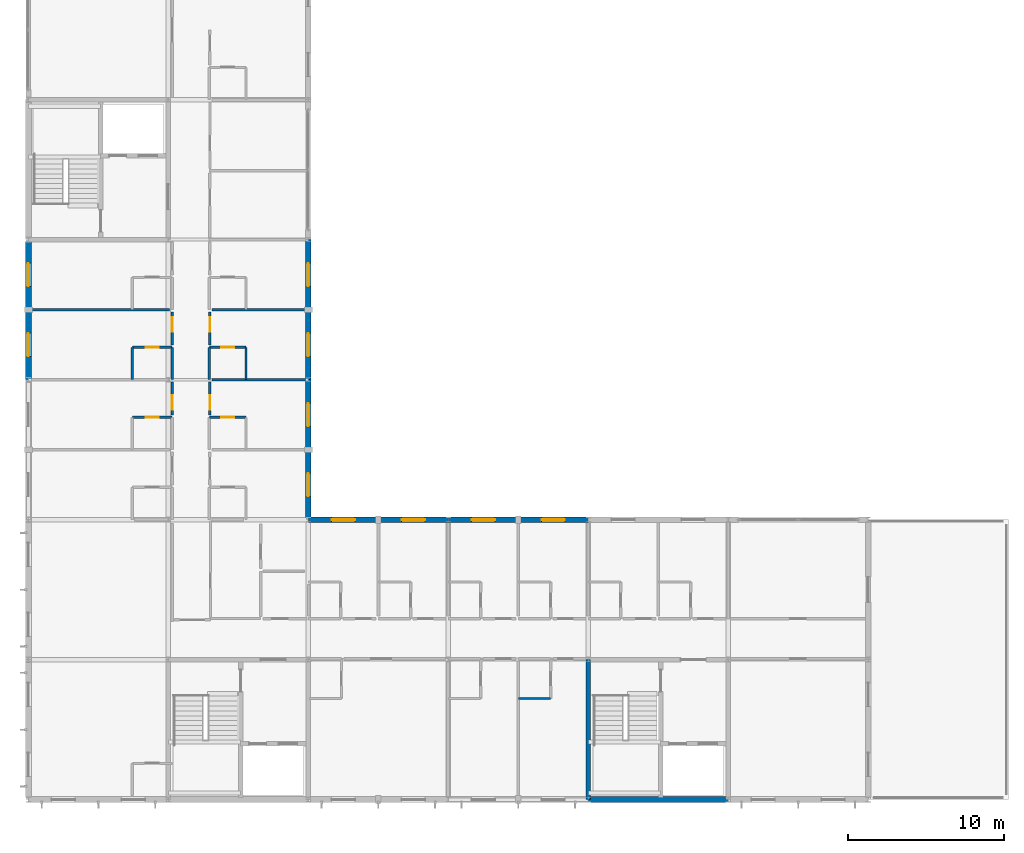
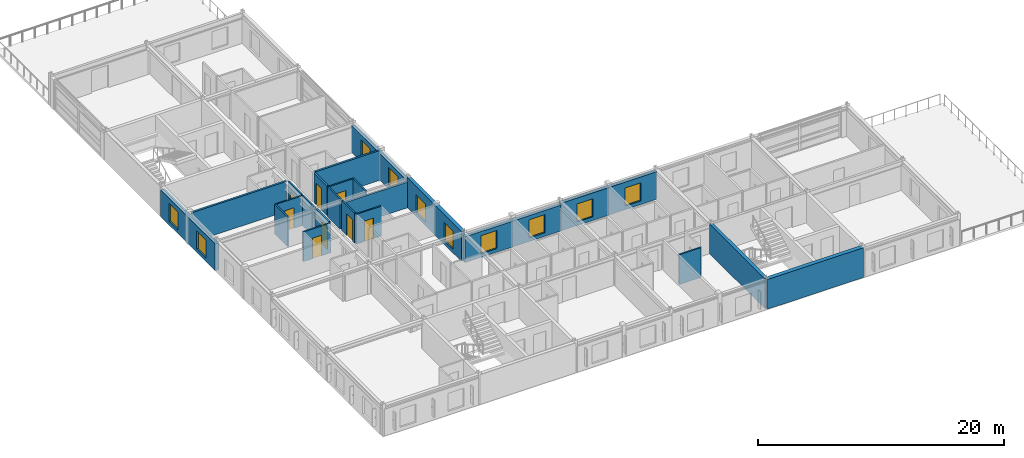
# One storey, part 11 of 18: 23 walls, 10 windows, 8 doors, 18 openings.
"""IFC4 building model written with IfcOpenShell, lengths in metres."""

from ifc_helpers import new_model, si_unit, direction, frame, frame_2d, origin, place, context, subcontext, project, spatial, rectangle, extrude, material, layer, layer_set, type_object, element, fill, save


model = new_model("IFC4")

# Units and contexts
model_context = context("Model", 3, precision=1e-05, world=origin(), true_north=direction((0.0, 1.0)))
body_context = subcontext(model_context, "Body", "Model", "MODEL_VIEW")
ifc_project = project(units=[si_unit("LENGTHUNIT", "METRE"), si_unit("AREAUNIT", "SQUARE_METRE"), si_unit("VOLUMEUNIT", "CUBIC_METRE"), si_unit("PLANEANGLEUNIT", "RADIAN"), si_unit("MASSUNIT", "GRAM", prefix="KILO")], contexts=[model_context])

# Site, building, storey
site_placement = place(None, origin())
site = spatial("IfcSite", under=ifc_project, at=site_placement, CompositionType="ELEMENT")
building_placement = place(site_placement, origin())
building = spatial("IfcBuilding", under=site, at=building_placement, Name="Palais des Congres Ocreval", CompositionType="ELEMENT")
storey_placement = place(building_placement, frame((0.0, 0.0, 23.679931640625)))
storey = spatial("IfcBuildingStorey", under=building, at=storey_placement, Name="L07", CompositionType="ELEMENT", Elevation=23.679931640625)

# Wall
ifc_material_1 = material(Name="Moisture-resistant gypsum board")
ifc_layer_1 = layer(ifc_material_1, 0.139892578125)
ifc_layer_set_1 = layer_set([ifc_layer_1], Name="Bathroom Plumbing Chase Wall 140 Gypsum (Moisture-resistant gypsum board)")
wall_type_1 = type_object("IfcWallType", Name="Bathroom Plumbing Chase Wall 140 Gypsum", PredefinedType="PLUMBINGWALL", material=ifc_layer_set_1)
wall_1_placement = place(storey_placement, frame((31.52001953125, 6.5, 0.0), z_axis=(0.0, 0.0, 1.0), x_axis=(1.0, 0.0, 0.0)))
element("IfcWall", 1, at=wall_1_placement, inside=storey, type_object=wall_type_1, Name="Bathroom Plumbing Wall PW03 L07", PredefinedType="PLUMBINGWALL", context=body_context, shape_type="SweptSolid", body=[
    extrude(rectangle(XDim=2.06005859375, YDim=0.139892578125, at=frame_2d((1.030029296875, 0.0))), origin(), (0.0, 0.0, 1.0), 2.9599609375),
])

# Wall, opening, door
wall_2_placement = place(storey_placement, frame((6.679931640625, 24.580078125, 0.0), z_axis=(0.0, 0.0, 1.0), x_axis=(1.0, 0.0, 0.0)))
wall_2 = element("IfcWall", 2, at=wall_2_placement, inside=storey, type_object=wall_type_1, Name="Bathroom Plumbing Wall PW03 L07", PredefinedType="PLUMBINGWALL", context=body_context, shape_type="SweptSolid", body=[
    extrude(rectangle(XDim=2.56005859375, YDim=0.139892578125, at=frame_2d((1.280029296875, 0.0))), origin(), (0.0, 0.0, 1.0), 2.9599609375),
])
opening_1_placement = place(wall_2_placement, frame((0.85498046875, 0.0, 0.0)))
opening_1 = element("IfcOpeningElement", 3, at=opening_1_placement, cuts=wall_2, Name="Opening D08", PredefinedType="OPENING", context=body_context, shape_type="SweptSolid", body=[
    extrude(rectangle(XDim=0.85009765625, YDim=2.0400390625, at=frame_2d((0.425048828125, 1.02001953125))), frame((0.0, 0.079833984375, 0.0), z_axis=(0.0, -1.0, 0.0), x_axis=(1.0, 0.0, 0.0)), (0.0, 0.0, 1.0), 0.159912109375),
])
ifc_material_2 = material(Name="Solid French oak", Category="wood")
door_type_1 = type_object("IfcDoorType", Name="En-Suite Bathroom Door 850x2040", OperationType="NOTDEFINED", PredefinedType="DOOR", material=ifc_material_2)
door_1_placement = place(opening_1_placement, origin())
door_1 = element("IfcDoor", 4, at=door_1_placement, inside=storey, type_object=door_type_1, Name="En-Suite Bathroom Door D08 L07", OperationType="SINGLE_SWING_RIGHT", OverallHeight=2.0400390625, OverallWidth=0.85009765625, PredefinedType="DOOR", context=body_context, shape_type="SweptSolid", body=[
    extrude(rectangle(XDim=0.85009765625, YDim=2.0400390625, at=frame_2d((0.425048828125, 1.02001953125))), frame((0.0, 0.02490234375, 0.0), z_axis=(0.0, -1.0, 0.0), x_axis=(1.0, 0.0, 0.0)), (0.0, 0.0, 1.0), 0.050048828125),
])
fill(opening_1, door_1)

wall_3_placement = place(storey_placement, frame((11.639892578125, 24.580078125, 0.0), z_axis=(0.0, 0.0, 1.0), x_axis=(1.0, 0.0, 0.0)))
wall_3 = element("IfcWall", 5, at=wall_3_placement, inside=storey, type_object=wall_type_1, Name="Bathroom Plumbing Wall PW03 L07", PredefinedType="PLUMBINGWALL", context=body_context, shape_type="SweptSolid", body=[
    extrude(rectangle(XDim=2.360107421875, YDim=0.139892578125, at=frame_2d((1.18017578125, 0.0))), origin(), (0.0, 0.0, 1.0), 2.9599609375),
])
opening_2_placement = place(wall_3_placement, frame((0.7548828125, 0.0, 0.0)))
opening_2 = element("IfcOpeningElement", 6, at=opening_2_placement, cuts=wall_3, Name="Opening D08", PredefinedType="OPENING", context=body_context, shape_type="SweptSolid", body=[
    extrude(rectangle(XDim=0.85009765625, YDim=2.0400390625, at=frame_2d((0.425048828125, 1.02001953125))), frame((0.0, 0.079833984375, 0.0), z_axis=(0.0, -1.0, 0.0), x_axis=(1.0, 0.0, 0.0)), (0.0, 0.0, 1.0), 0.159912109375),
])
door_2_placement = place(opening_2_placement, origin())
door_2 = element("IfcDoor", 7, at=door_2_placement, inside=storey, type_object=door_type_1, Name="En-Suite Bathroom Door D08 L07", OperationType="SINGLE_SWING_RIGHT", OverallHeight=2.0400390625, OverallWidth=0.85009765625, PredefinedType="DOOR", context=body_context, shape_type="SweptSolid", body=[
    extrude(rectangle(XDim=0.85009765625, YDim=2.0400390625, at=frame_2d((0.425048828125, 1.02001953125))), frame((0.0, 0.02490234375, 0.0), z_axis=(0.0, -1.0, 0.0), x_axis=(1.0, 0.0, 0.0)), (0.0, 0.0, 1.0), 0.050048828125),
])
fill(opening_2, door_2)

wall_4_placement = place(storey_placement, frame((6.679931640625, 29.080078125, 0.0), z_axis=(0.0, 0.0, 1.0), x_axis=(1.0, 0.0, 0.0)))
wall_4 = element("IfcWall", 8, at=wall_4_placement, inside=storey, type_object=wall_type_1, Name="Bathroom Plumbing Wall PW03 L07", PredefinedType="PLUMBINGWALL", context=body_context, shape_type="SweptSolid", body=[
    extrude(rectangle(XDim=2.56005859375, YDim=0.139892578125, at=frame_2d((1.280029296875, 0.0))), origin(), (0.0, 0.0, 1.0), 2.9599609375),
])
opening_3_placement = place(wall_4_placement, frame((0.85498046875, 0.0, 0.0)))
opening_3 = element("IfcOpeningElement", 9, at=opening_3_placement, cuts=wall_4, Name="Opening D08", PredefinedType="OPENING", context=body_context, shape_type="SweptSolid", body=[
    extrude(rectangle(XDim=0.85009765625, YDim=2.0400390625, at=frame_2d((0.425048828125, 1.02001953125))), frame((0.0, 0.079833984375, 0.0), z_axis=(0.0, -1.0, 0.0), x_axis=(1.0, 0.0, 0.0)), (0.0, 0.0, 1.0), 0.159912109375),
])
door_3_placement = place(opening_3_placement, origin())
door_3 = element("IfcDoor", 10, at=door_3_placement, inside=storey, type_object=door_type_1, Name="En-Suite Bathroom Door D08 L07", OperationType="SINGLE_SWING_LEFT", OverallHeight=2.0400390625, OverallWidth=0.85009765625, PredefinedType="DOOR", context=body_context, shape_type="SweptSolid", body=[
    extrude(rectangle(XDim=0.85009765625, YDim=2.0400390625, at=frame_2d((0.425048828125, 1.02001953125))), frame((0.0, 0.02490234375, 0.0), z_axis=(0.0, -1.0, 0.0), x_axis=(1.0, 0.0, 0.0)), (0.0, 0.0, 1.0), 0.050048828125),
])
fill(opening_3, door_3)

# Wall
wall_5_placement = place(storey_placement, frame((6.679931640625, 27.02001953125, 0.0), z_axis=(0.0, 0.0, 1.0), x_axis=(0.0, 1.0, 0.0)))
element("IfcWall", 11, at=wall_5_placement, inside=storey, type_object=wall_type_1, Name="Bathroom Plumbing Wall PW03 L07", PredefinedType="PLUMBINGWALL", context=body_context, shape_type="SweptSolid", body=[
    extrude(rectangle(XDim=2.06005859375, YDim=0.139892578125, at=frame_2d((1.030029296875, 0.0))), origin(), (0.0, 0.0, 1.0), 2.9599609375),
])

# Wall, opening, door
wall_6_placement = place(storey_placement, frame((11.639892578125, 29.080078125, 0.0), z_axis=(0.0, 0.0, 1.0), x_axis=(1.0, 0.0, 0.0)))
wall_6 = element("IfcWall", 12, at=wall_6_placement, inside=storey, type_object=wall_type_1, Name="Bathroom Plumbing Wall PW03 L07", PredefinedType="PLUMBINGWALL", context=body_context, shape_type="SweptSolid", body=[
    extrude(rectangle(XDim=2.360107421875, YDim=0.139892578125, at=frame_2d((1.18017578125, 0.0))), origin(), (0.0, 0.0, 1.0), 2.9599609375),
])
opening_4_placement = place(wall_6_placement, frame((0.7548828125, 0.0, 0.0)))
opening_4 = element("IfcOpeningElement", 13, at=opening_4_placement, cuts=wall_6, Name="Opening D08", PredefinedType="OPENING", context=body_context, shape_type="SweptSolid", body=[
    extrude(rectangle(XDim=0.85009765625, YDim=2.0400390625, at=frame_2d((0.425048828125, 1.02001953125))), frame((0.0, 0.079833984375, 0.0), z_axis=(0.0, -1.0, 0.0), x_axis=(1.0, 0.0, 0.0)), (0.0, 0.0, 1.0), 0.159912109375),
])
door_4_placement = place(opening_4_placement, origin())
door_4 = element("IfcDoor", 14, at=door_4_placement, inside=storey, type_object=door_type_1, Name="En-Suite Bathroom Door D08 L07", OperationType="SINGLE_SWING_LEFT", OverallHeight=2.0400390625, OverallWidth=0.85009765625, PredefinedType="DOOR", context=body_context, shape_type="SweptSolid", body=[
    extrude(rectangle(XDim=0.85009765625, YDim=2.0400390625, at=frame_2d((0.425048828125, 1.02001953125))), frame((0.0, 0.02490234375, 0.0), z_axis=(0.0, -1.0, 0.0), x_axis=(1.0, 0.0, 0.0)), (0.0, 0.0, 1.0), 0.050048828125),
])
fill(opening_4, door_4)

# Walls
wall_7_placement = place(storey_placement, frame((14.0, 27.02001953125, 0.0), z_axis=(0.0, 0.0, 1.0), x_axis=(0.0, 1.0, 0.0)))
element("IfcWall", 15, at=wall_7_placement, inside=storey, type_object=wall_type_1, Name="Bathroom Plumbing Wall PW03 L07", PredefinedType="PLUMBINGWALL", context=body_context, shape_type="SweptSolid", body=[
    extrude(rectangle(XDim=2.06005859375, YDim=0.139892578125, at=frame_2d((1.030029296875, 0.0))), origin(), (0.0, 0.0, 1.0), 2.9599609375),
])
ifc_material_3 = material(Name="Concrete C40/50", Category="concrete")
ifc_layer_2 = layer(ifc_material_3, 0.300048828125)
ifc_layer_set_2 = layer_set([ifc_layer_2], Name="Core Shear Wall 300 Concrete C40/50")
wall_type_2 = type_object("IfcWallType", Name="Core Shear Wall 300 Concrete C40/50", PredefinedType="SHEAR", material=ifc_layer_set_2)
wall_8_placement = place(storey_placement, frame((36.0, 0.0, 0.0), z_axis=(0.0, 0.0, 1.0), x_axis=(0.0, 1.0, 0.0)))
element("IfcWall", 16, at=wall_8_placement, inside=storey, type_object=wall_type_2, Name="Core Shear Wall SC02 L07 W", PredefinedType="SHEAR", context=body_context, shape_type="SweptSolid", body=[
    extrude(rectangle(XDim=9.0, YDim=0.300048828125, at=frame_2d((4.5, 0.0))), origin(), (0.0, 0.0, 1.0), 2.9599609375),
])
ifc_material_4 = material(Name="Gypsum acoustic partition")
ifc_layer_3 = layer(ifc_material_4, 0.159912109375)
ifc_layer_set_3 = layer_set([ifc_layer_3], Name="Corridor Fire Partition 160 Gypsum (Gypsum acoustic partition)")
wall_type_3 = type_object("IfcWallType", Name="Corridor Fire Partition 160 Gypsum", PredefinedType="PARTITIONING", material=ifc_layer_set_3)
for number, where, z_axis, x_axis, name in (
    (17, (9.239990234375, 27.02001953125, 0.0), (0.0, 0.0, 1.0), (0.0, 1.0, 0.0), "Corridor Partition IW03 L07"),
    (18, (11.639892578125, 27.02001953125, 0.0), (0.0, 0.0, 1.0), (0.0, 1.0, 0.0), "Corridor Partition IW03 L07"),
):
    element("IfcWall", number, at=place(storey_placement, frame(where, z_axis=z_axis, x_axis=x_axis)), inside=storey, type_object=wall_type_3, Name=name, PredefinedType="PARTITIONING", context=body_context, shape_type="SweptSolid", body=[
        extrude(rectangle(XDim=2.06005859375, YDim=0.159912109375, at=frame_2d((1.030029296875, 0.0))), origin(), (0.0, 0.0, 1.0), 2.9599609375),
    ])

# Wall, opening, door
wall_9_placement = place(storey_placement, frame((9.25, 24.735107421875, 0.0), z_axis=(0.0, 0.0, 1.0), x_axis=(0.0, 1.0, 0.0)))
wall_9 = element("IfcWall", 19, at=wall_9_placement, inside=storey, type_object=wall_type_3, Name="Interior Partition IW03 L07", PredefinedType="PARTITIONING", context=body_context, shape_type="SweptSolid", body=[
    extrude(rectangle(XDim=2.10986328125, YDim=0.159912109375, at=frame_2d((1.054931640625, 0.0))), origin(), (0.0, 0.0, 1.0), 2.9599609375),
])
opening_5_placement = place(wall_9_placement, frame((0.326904296875, 0.0, 0.0)))
opening_5 = element("IfcOpeningElement", 20, at=opening_5_placement, cuts=wall_9, Name="Opening D05", PredefinedType="OPENING", context=body_context, shape_type="SweptSolid", body=[
    extrude(rectangle(XDim=0.949951171875, YDim=2.14990234375, at=frame_2d((0.47509765625, 1.074951171875))), frame((0.0, 0.08984375, 0.0), z_axis=(0.0, -1.0, 0.0), x_axis=(1.0, 0.0, 0.0)), (0.0, 0.0, 1.0), 0.179931640625),
])
door_type_2 = type_object("IfcDoorType", Name="Hotel Guestroom Entrance Door 950x2150", OperationType="NOTDEFINED", PredefinedType="DOOR", material=ifc_material_2)
door_5_placement = place(opening_5_placement, origin())
door_5 = element("IfcDoor", 21, at=door_5_placement, inside=storey, type_object=door_type_2, Name="Interior Door D05 L07", OperationType="SINGLE_SWING_LEFT", OverallHeight=2.14990234375, OverallWidth=0.949951171875, PredefinedType="DOOR", context=body_context, shape_type="SweptSolid", body=[
    extrude(rectangle(XDim=0.949951171875, YDim=2.14990234375, at=frame_2d((0.47509765625, 1.074951171875))), frame((0.0, 0.02490234375, 0.0), z_axis=(0.0, -1.0, 0.0), x_axis=(1.0, 0.0, 0.0)), (0.0, 0.0, 1.0), 0.050048828125),
])
fill(opening_5, door_5)

wall_10_placement = place(storey_placement, frame((11.669921875, 24.735107421875, 0.0), z_axis=(0.0, 0.0, 1.0), x_axis=(0.0, 1.0, 0.0)))
wall_10 = element("IfcWall", 22, at=wall_10_placement, inside=storey, type_object=wall_type_3, Name="Interior Partition IW03 L07", PredefinedType="PARTITIONING", context=body_context, shape_type="SweptSolid", body=[
    extrude(rectangle(XDim=2.10986328125, YDim=0.159912109375, at=frame_2d((1.054931640625, 0.0))), origin(), (0.0, 0.0, 1.0), 2.9599609375),
])
opening_6_placement = place(wall_10_placement, frame((0.326904296875, 0.0, 0.0)))
opening_6 = element("IfcOpeningElement", 23, at=opening_6_placement, cuts=wall_10, Name="Opening D05", PredefinedType="OPENING", context=body_context, shape_type="SweptSolid", body=[
    extrude(rectangle(XDim=0.949951171875, YDim=2.14990234375, at=frame_2d((0.47509765625, 1.074951171875))), frame((0.0, 0.08984375, 0.0), z_axis=(0.0, -1.0, 0.0), x_axis=(1.0, 0.0, 0.0)), (0.0, 0.0, 1.0), 0.179931640625),
])
door_6_placement = place(opening_6_placement, origin())
door_6 = element("IfcDoor", 24, at=door_6_placement, inside=storey, type_object=door_type_2, Name="Interior Door D05 L07", OperationType="SINGLE_SWING_RIGHT", OverallHeight=2.14990234375, OverallWidth=0.949951171875, PredefinedType="DOOR", context=body_context, shape_type="SweptSolid", body=[
    extrude(rectangle(XDim=0.949951171875, YDim=2.14990234375, at=frame_2d((0.47509765625, 1.074951171875))), frame((0.0, 0.02490234375, 0.0), z_axis=(0.0, -1.0, 0.0), x_axis=(1.0, 0.0, 0.0)), (0.0, 0.0, 1.0), 0.050048828125),
])
fill(opening_6, door_6)

wall_11_placement = place(storey_placement, frame((9.25, 29.235107421875, 0.0), z_axis=(0.0, 0.0, 1.0), x_axis=(0.0, 1.0, 0.0)))
wall_11 = element("IfcWall", 25, at=wall_11_placement, inside=storey, type_object=wall_type_3, Name="Interior Partition IW03 L07", PredefinedType="PARTITIONING", context=body_context, shape_type="SweptSolid", body=[
    extrude(rectangle(XDim=2.10986328125, YDim=0.159912109375, at=frame_2d((1.054931640625, 0.0))), origin(), (0.0, 0.0, 1.0), 2.9599609375),
])
opening_7_placement = place(wall_11_placement, frame((0.833251953125, 0.0, 0.0)))
opening_7 = element("IfcOpeningElement", 26, at=opening_7_placement, cuts=wall_11, Name="Opening D05", PredefinedType="OPENING", context=body_context, shape_type="SweptSolid", body=[
    extrude(rectangle(XDim=0.949951171875, YDim=2.14990234375, at=frame_2d((0.47509765625, 1.074951171875))), frame((0.0, 0.08984375, 0.0), z_axis=(0.0, -1.0, 0.0), x_axis=(1.0, 0.0, 0.0)), (0.0, 0.0, 1.0), 0.179931640625),
])
door_7_placement = place(opening_7_placement, origin())
door_7 = element("IfcDoor", 27, at=door_7_placement, inside=storey, type_object=door_type_2, Name="Interior Door D05 L07", OperationType="SINGLE_SWING_LEFT", OverallHeight=2.14990234375, OverallWidth=0.949951171875, PredefinedType="DOOR", context=body_context, shape_type="SweptSolid", body=[
    extrude(rectangle(XDim=0.949951171875, YDim=2.14990234375, at=frame_2d((0.47509765625, 1.074951171875))), frame((0.0, 0.02490234375, 0.0), z_axis=(0.0, -1.0, 0.0), x_axis=(1.0, 0.0, 0.0)), (0.0, 0.0, 1.0), 0.050048828125),
])
fill(opening_7, door_7)

wall_12_placement = place(storey_placement, frame((11.669921875, 29.235107421875, 0.0), z_axis=(0.0, 0.0, 1.0), x_axis=(0.0, 1.0, 0.0)))
wall_12 = element("IfcWall", 28, at=wall_12_placement, inside=storey, type_object=wall_type_3, Name="Interior Partition IW03 L07", PredefinedType="PARTITIONING", context=body_context, shape_type="SweptSolid", body=[
    extrude(rectangle(XDim=2.10986328125, YDim=0.159912109375, at=frame_2d((1.054931640625, 0.0))), origin(), (0.0, 0.0, 1.0), 2.9599609375),
])
opening_8_placement = place(wall_12_placement, frame((0.833251953125, 0.0, 0.0)))
opening_8 = element("IfcOpeningElement", 29, at=opening_8_placement, cuts=wall_12, Name="Opening D05", PredefinedType="OPENING", context=body_context, shape_type="SweptSolid", body=[
    extrude(rectangle(XDim=0.949951171875, YDim=2.14990234375, at=frame_2d((0.47509765625, 1.074951171875))), frame((0.0, 0.08984375, 0.0), z_axis=(0.0, -1.0, 0.0), x_axis=(1.0, 0.0, 0.0)), (0.0, 0.0, 1.0), 0.179931640625),
])
door_8_placement = place(opening_8_placement, origin())
door_8 = element("IfcDoor", 30, at=door_8_placement, inside=storey, type_object=door_type_2, Name="Interior Door D05 L07", OperationType="SINGLE_SWING_LEFT", OverallHeight=2.14990234375, OverallWidth=0.949951171875, PredefinedType="DOOR", context=body_context, shape_type="SweptSolid", body=[
    extrude(rectangle(XDim=0.949951171875, YDim=2.14990234375, at=frame_2d((0.47509765625, 1.074951171875))), frame((0.0, 0.02490234375, 0.0), z_axis=(0.0, -1.0, 0.0), x_axis=(1.0, 0.0, 0.0)), (0.0, 0.0, 1.0), 0.050048828125),
])
fill(opening_8, door_8)

# Walls
ifc_layer_4 = layer(ifc_material_4, 0.179931640625)
ifc_layer_set_4 = layer_set([ifc_layer_4], Name="Hotel Inter-Room Acoustic Partition 180 Gypsum (Gypsum acoustic partition)")
wall_type_4 = type_object("IfcWallType", Name="Hotel Inter-Room Acoustic Partition 180 Gypsum", PredefinedType="PARTITIONING", material=ifc_layer_set_4)
wall_13_placement = place(storey_placement, frame((11.794921875, 27.0, 0.0), z_axis=(0.0, 0.0, 1.0), x_axis=(1.0, 0.0, 0.0)))
element("IfcWall", 31, at=wall_13_placement, inside=storey, type_object=wall_type_4, Name="Hotel Party Partition IW02 L07", PredefinedType="PARTITIONING", context=body_context, shape_type="SweptSolid", body=[
    extrude(rectangle(XDim=6.030029296875, YDim=0.179931640625, at=frame_2d((3.01513671875, 0.0))), origin(), (0.0, 0.0, 1.0), 2.56005859375),
])
wall_14_placement = place(storey_placement, frame((0.195068359375, 31.5, 0.0), z_axis=(0.0, 0.0, 1.0), x_axis=(1.0, 0.0, 0.0)))
element("IfcWall", 32, at=wall_14_placement, inside=storey, type_object=wall_type_4, Name="Hotel Party Partition IW02 L07", PredefinedType="PARTITIONING", context=body_context, shape_type="SweptSolid", body=[
    extrude(rectangle(XDim=8.889892578125, YDim=0.179931640625, at=frame_2d((4.44482421875, 0.0))), origin(), (0.0, 0.0, 1.0), 2.9599609375),
])
wall_15_placement = place(storey_placement, frame((11.794921875, 31.5, 0.0), z_axis=(0.0, 0.0, 1.0), x_axis=(1.0, 0.0, 0.0)))
element("IfcWall", 33, at=wall_15_placement, inside=storey, type_object=wall_type_4, Name="Hotel Party Partition IW02 L07", PredefinedType="PARTITIONING", context=body_context, shape_type="SweptSolid", body=[
    extrude(rectangle(XDim=6.030029296875, YDim=0.179931640625, at=frame_2d((3.01513671875, 0.0))), origin(), (0.0, 0.0, 1.0), 2.9599609375),
])
ifc_layer_5 = layer(ifc_material_3, 0.3798828125)
ifc_layer_set_5 = layer_set([ifc_layer_5], Name="Lutetian Limestone Street Wall 380 Concrete C40/50")
wall_type_5 = type_object("IfcWallType", Name="Lutetian Limestone Street Wall 380 Concrete C40/50", PredefinedType="SOLIDWALL", material=ifc_layer_set_5)
wall_16_placement = place(storey_placement, frame((45.0, 0.0, 0.0), z_axis=(0.0, 0.0, 1.0), x_axis=(-1.0, 0.0, 0.0)))
element("IfcWall", 34, at=wall_16_placement, inside=storey, type_object=wall_type_5, Name="Core Perimeter Shear Wall EW03 SC02 L07", PredefinedType="SOLIDWALL", context=body_context, shape_type="SweptSolid", body=[
    extrude(rectangle(XDim=9.0, YDim=0.3798828125, at=frame_2d((4.5, 0.0))), origin(), (0.0, 0.0, 1.0), 2.9599609375),
])

# Wall, openings, windows
wall_17_placement = place(storey_placement, frame((0.0, 27.0, 0.0), z_axis=(0.0, 0.0, 1.0), x_axis=(0.0, 1.0, 0.0)))
wall_17 = element("IfcWall", 35, at=wall_17_placement, inside=storey, type_object=wall_type_5, Name="Exterior Wall EW03 L07", PredefinedType="SOLIDWALL", context=body_context, shape_type="SweptSolid", body=[
    extrude(rectangle(XDim=8.8701171875, YDim=0.3798828125, at=frame_2d((4.43505859375, 0.0))), origin(), (0.0, 0.0, 1.0), 2.66015625),
])
opening_9_placement = place(wall_17_placement, frame((1.5, 0.0, 0.35009765625)))
opening_9 = element("IfcOpeningElement", 36, at=opening_9_placement, cuts=wall_17, Name="Opening WN06", PredefinedType="OPENING", context=body_context, shape_type="SweptSolid", body=[
    extrude(rectangle(XDim=1.5, YDim=1.800048828125, at=frame_2d((0.75, 0.89990234375))), frame((0.0, 0.199951171875, 0.0), z_axis=(0.0, -1.0, 0.0), x_axis=(1.0, 0.0, 0.0)), (0.0, 0.0, 1.0), 0.39990234375),
])
opening_10_placement = place(wall_17_placement, frame((6.0, 0.0, 0.35009765625)))
opening_10 = element("IfcOpeningElement", 37, at=opening_10_placement, cuts=wall_17, Name="Opening WN06", PredefinedType="OPENING", context=body_context, shape_type="SweptSolid", body=[
    extrude(rectangle(XDim=1.5, YDim=1.800048828125, at=frame_2d((0.75, 0.89990234375))), frame((0.0, 0.199951171875, 0.0), z_axis=(0.0, -1.0, 0.0), x_axis=(1.0, 0.0, 0.0)), (0.0, 0.0, 1.0), 0.39990234375),
])
ifc_material_5 = material(Name="Anodized bronze aluminium and low-E glass", Category="glass")
window_type = type_object("IfcWindowType", Name="Upper Setback Window 1500x1800", PartitioningType="SINGLE_PANEL", PredefinedType="WINDOW", material=ifc_material_5)
window_1_placement = place(opening_9_placement, origin())
window_1 = element("IfcWindow", 38, at=window_1_placement, inside=storey, type_object=window_type, Name="Hotel Facade Window WN06", OverallHeight=1.800048828125, OverallWidth=1.5, PartitioningType="SINGLE_PANEL", PredefinedType="WINDOW", context=body_context, shape_type="SweptSolid", body=[
    extrude(rectangle(XDim=1.5, YDim=1.800048828125, at=frame_2d((0.75, 0.89990234375))), frame((0.0, 0.030029296875, 0.0), z_axis=(0.0, -1.0, 0.0), x_axis=(1.0, 0.0, 0.0)), (0.0, 0.0, 1.0), 0.06005859375),
])
fill(opening_9, window_1)
window_2_placement = place(opening_10_placement, origin())
window_2 = element("IfcWindow", 39, at=window_2_placement, inside=storey, type_object=window_type, Name="Hotel Facade Window WN06", OverallHeight=1.800048828125, OverallWidth=1.5, PartitioningType="SINGLE_PANEL", PredefinedType="WINDOW", context=body_context, shape_type="SweptSolid", body=[
    extrude(rectangle(XDim=1.5, YDim=1.800048828125, at=frame_2d((0.75, 0.89990234375))), frame((0.0, 0.030029296875, 0.0), z_axis=(0.0, -1.0, 0.0), x_axis=(1.0, 0.0, 0.0)), (0.0, 0.0, 1.0), 0.06005859375),
])
fill(opening_10, window_2)

ifc_layer_6 = layer(ifc_material_3, 0.340087890625)
ifc_layer_set_6 = layer_set([ifc_layer_6], Name="Ochre Mineral-Lime Courtyard Wall 340 Concrete C40/50")
wall_type_6 = type_object("IfcWallType", Name="Ochre Mineral-Lime Courtyard Wall 340 Concrete C40/50", PredefinedType="SOLIDWALL", material=ifc_layer_set_6)
wall_18_placement = place(storey_placement, frame((18.0, 36.0, 0.0), z_axis=(0.0, 0.0, 1.0), x_axis=(0.0, -1.0, 0.0)))
wall_18 = element("IfcWall", 40, at=wall_18_placement, inside=storey, type_object=wall_type_6, Name="Exterior Wall EW04 L07", PredefinedType="SOLIDWALL", context=body_context, shape_type="SweptSolid", body=[
    extrude(rectangle(XDim=9.0, YDim=0.340087890625, at=frame_2d((4.5, 0.0))), origin(), (0.0, 0.0, 1.0), 2.66015625),
])
opening_11_placement = place(wall_18_placement, frame((1.5, 0.0, 0.35009765625)))
opening_11 = element("IfcOpeningElement", 41, at=opening_11_placement, cuts=wall_18, Name="Opening WN06", PredefinedType="OPENING", context=body_context, shape_type="SweptSolid", body=[
    extrude(rectangle(XDim=1.5, YDim=1.800048828125, at=frame_2d((0.75, 0.89990234375))), frame((0.0, 0.179931640625, 0.0), z_axis=(0.0, -1.0, 0.0), x_axis=(1.0, 0.0, 0.0)), (0.0, 0.0, 1.0), 0.360107421875),
])
opening_12_placement = place(wall_18_placement, frame((6.0, 0.0, 0.35009765625)))
opening_12 = element("IfcOpeningElement", 42, at=opening_12_placement, cuts=wall_18, Name="Opening WN06", PredefinedType="OPENING", context=body_context, shape_type="SweptSolid", body=[
    extrude(rectangle(XDim=1.5, YDim=1.800048828125, at=frame_2d((0.75, 0.89990234375))), frame((0.0, 0.179931640625, 0.0), z_axis=(0.0, -1.0, 0.0), x_axis=(1.0, 0.0, 0.0)), (0.0, 0.0, 1.0), 0.360107421875),
])
window_3_placement = place(opening_11_placement, origin())
window_3 = element("IfcWindow", 43, at=window_3_placement, inside=storey, type_object=window_type, Name="Hotel Facade Window WN06", OverallHeight=1.800048828125, OverallWidth=1.5, PartitioningType="SINGLE_PANEL", PredefinedType="WINDOW", context=body_context, shape_type="SweptSolid", body=[
    extrude(rectangle(XDim=1.5, YDim=1.800048828125, at=frame_2d((0.75, 0.89990234375))), frame((0.0, 0.030029296875, 0.0), z_axis=(0.0, -1.0, 0.0), x_axis=(1.0, 0.0, 0.0)), (0.0, 0.0, 1.0), 0.06005859375),
])
fill(opening_11, window_3)
window_4_placement = place(opening_12_placement, origin())
window_4 = element("IfcWindow", 44, at=window_4_placement, inside=storey, type_object=window_type, Name="Hotel Facade Window WN06", OverallHeight=1.800048828125, OverallWidth=1.5, PartitioningType="SINGLE_PANEL", PredefinedType="WINDOW", context=body_context, shape_type="SweptSolid", body=[
    extrude(rectangle(XDim=1.5, YDim=1.800048828125, at=frame_2d((0.75, 0.89990234375))), frame((0.0, 0.030029296875, 0.0), z_axis=(0.0, -1.0, 0.0), x_axis=(1.0, 0.0, 0.0)), (0.0, 0.0, 1.0), 0.06005859375),
])
fill(opening_12, window_4)

wall_19_placement = place(storey_placement, frame((18.0, 27.0, 0.0), z_axis=(0.0, 0.0, 1.0), x_axis=(0.0, -1.0, 0.0)))
wall_19 = element("IfcWall", 45, at=wall_19_placement, inside=storey, type_object=wall_type_6, Name="Exterior Wall EW04 L07", PredefinedType="SOLIDWALL", context=body_context, shape_type="SweptSolid", body=[
    extrude(rectangle(XDim=8.844970703125, YDim=0.340087890625, at=frame_2d((4.42236328125, 0.0))), origin(), (0.0, 0.0, 1.0), 2.9599609375),
])
opening_13_placement = place(wall_19_placement, frame((1.5, 0.0, 0.35009765625)))
opening_13 = element("IfcOpeningElement", 46, at=opening_13_placement, cuts=wall_19, Name="Opening WN06", PredefinedType="OPENING", context=body_context, shape_type="SweptSolid", body=[
    extrude(rectangle(XDim=1.5, YDim=1.800048828125, at=frame_2d((0.75, 0.89990234375))), frame((0.0, 0.179931640625, 0.0), z_axis=(0.0, -1.0, 0.0), x_axis=(1.0, 0.0, 0.0)), (0.0, 0.0, 1.0), 0.360107421875),
])
opening_14_placement = place(wall_19_placement, frame((6.0, 0.0, 0.35009765625)))
opening_14 = element("IfcOpeningElement", 47, at=opening_14_placement, cuts=wall_19, Name="Opening WN06", PredefinedType="OPENING", context=body_context, shape_type="SweptSolid", body=[
    extrude(rectangle(XDim=1.5, YDim=1.800048828125, at=frame_2d((0.75, 0.89990234375))), frame((0.0, 0.179931640625, 0.0), z_axis=(0.0, -1.0, 0.0), x_axis=(1.0, 0.0, 0.0)), (0.0, 0.0, 1.0), 0.360107421875),
])
window_5_placement = place(opening_13_placement, origin())
window_5 = element("IfcWindow", 48, at=window_5_placement, inside=storey, type_object=window_type, Name="Hotel Facade Window WN06", OverallHeight=1.800048828125, OverallWidth=1.5, PartitioningType="SINGLE_PANEL", PredefinedType="WINDOW", context=body_context, shape_type="SweptSolid", body=[
    extrude(rectangle(XDim=1.5, YDim=1.800048828125, at=frame_2d((0.75, 0.89990234375))), frame((0.0, 0.030029296875, 0.0), z_axis=(0.0, -1.0, 0.0), x_axis=(1.0, 0.0, 0.0)), (0.0, 0.0, 1.0), 0.06005859375),
])
fill(opening_13, window_5)
window_6_placement = place(opening_14_placement, origin())
window_6 = element("IfcWindow", 49, at=window_6_placement, inside=storey, type_object=window_type, Name="Hotel Facade Window WN06", OverallHeight=1.800048828125, OverallWidth=1.5, PartitioningType="SINGLE_PANEL", PredefinedType="WINDOW", context=body_context, shape_type="SweptSolid", body=[
    extrude(rectangle(XDim=1.5, YDim=1.800048828125, at=frame_2d((0.75, 0.89990234375))), frame((0.0, 0.030029296875, 0.0), z_axis=(0.0, -1.0, 0.0), x_axis=(1.0, 0.0, 0.0)), (0.0, 0.0, 1.0), 0.06005859375),
])
fill(opening_14, window_6)

wall_20_placement = place(storey_placement, frame((18.0, 18.0, 0.0), z_axis=(0.0, 0.0, 1.0), x_axis=(1.0, 0.0, 0.0)))
wall_20 = element("IfcWall", 50, at=wall_20_placement, inside=storey, type_object=wall_type_6, Name="Exterior Wall EW04 L07", PredefinedType="SOLIDWALL", context=body_context, shape_type="SweptSolid", body=[
    extrude(rectangle(XDim=9.0, YDim=0.340087890625, at=frame_2d((4.5, 0.0))), origin(), (0.0, 0.0, 1.0), 2.56005859375),
])
opening_15_placement = place(wall_20_placement, frame((1.5, 0.0, 0.35009765625)))
opening_15 = element("IfcOpeningElement", 51, at=opening_15_placement, cuts=wall_20, Name="Opening WN06", PredefinedType="OPENING", context=body_context, shape_type="SweptSolid", body=[
    extrude(rectangle(XDim=1.5, YDim=1.800048828125, at=frame_2d((0.75, 0.89990234375))), frame((0.0, 0.179931640625, 0.0), z_axis=(0.0, -1.0, 0.0), x_axis=(1.0, 0.0, 0.0)), (0.0, 0.0, 1.0), 0.360107421875),
])
opening_16_placement = place(wall_20_placement, frame((6.0, 0.0, 0.35009765625)))
opening_16 = element("IfcOpeningElement", 52, at=opening_16_placement, cuts=wall_20, Name="Opening WN06", PredefinedType="OPENING", context=body_context, shape_type="SweptSolid", body=[
    extrude(rectangle(XDim=1.5, YDim=1.800048828125, at=frame_2d((0.75, 0.89990234375))), frame((0.0, 0.179931640625, 0.0), z_axis=(0.0, -1.0, 0.0), x_axis=(1.0, 0.0, 0.0)), (0.0, 0.0, 1.0), 0.360107421875),
])
window_7_placement = place(opening_15_placement, origin())
window_7 = element("IfcWindow", 53, at=window_7_placement, inside=storey, type_object=window_type, Name="Hotel Facade Window WN06", OverallHeight=1.800048828125, OverallWidth=1.5, PartitioningType="SINGLE_PANEL", PredefinedType="WINDOW", context=body_context, shape_type="SweptSolid", body=[
    extrude(rectangle(XDim=1.5, YDim=1.800048828125, at=frame_2d((0.75, 0.89990234375))), frame((0.0, 0.030029296875, 0.0), z_axis=(0.0, -1.0, 0.0), x_axis=(1.0, 0.0, 0.0)), (0.0, 0.0, 1.0), 0.06005859375),
])
fill(opening_15, window_7)
window_8_placement = place(opening_16_placement, origin())
window_8 = element("IfcWindow", 54, at=window_8_placement, inside=storey, type_object=window_type, Name="Hotel Facade Window WN06", OverallHeight=1.800048828125, OverallWidth=1.5, PartitioningType="SINGLE_PANEL", PredefinedType="WINDOW", context=body_context, shape_type="SweptSolid", body=[
    extrude(rectangle(XDim=1.5, YDim=1.800048828125, at=frame_2d((0.75, 0.89990234375))), frame((0.0, 0.030029296875, 0.0), z_axis=(0.0, -1.0, 0.0), x_axis=(1.0, 0.0, 0.0)), (0.0, 0.0, 1.0), 0.06005859375),
])
fill(opening_16, window_8)

wall_21_placement = place(storey_placement, frame((27.0, 18.0, 0.0), z_axis=(0.0, 0.0, 1.0), x_axis=(1.0, 0.0, 0.0)))
wall_21 = element("IfcWall", 55, at=wall_21_placement, inside=storey, type_object=wall_type_6, Name="Exterior Wall EW04 L07", PredefinedType="SOLIDWALL", context=body_context, shape_type="SweptSolid", body=[
    extrude(rectangle(XDim=9.0, YDim=0.340087890625, at=frame_2d((4.5, 0.0))), origin(), (0.0, 0.0, 1.0), 2.72998046875),
])
opening_17_placement = place(wall_21_placement, frame((1.5, 0.0, 0.35009765625)))
opening_17 = element("IfcOpeningElement", 56, at=opening_17_placement, cuts=wall_21, Name="Opening WN06", PredefinedType="OPENING", context=body_context, shape_type="SweptSolid", body=[
    extrude(rectangle(XDim=1.5, YDim=1.800048828125, at=frame_2d((0.75, 0.89990234375))), frame((0.0, 0.179931640625, 0.0), z_axis=(0.0, -1.0, 0.0), x_axis=(1.0, 0.0, 0.0)), (0.0, 0.0, 1.0), 0.360107421875),
])
opening_18_placement = place(wall_21_placement, frame((6.0, 0.0, 0.35009765625)))
opening_18 = element("IfcOpeningElement", 57, at=opening_18_placement, cuts=wall_21, Name="Opening WN06", PredefinedType="OPENING", context=body_context, shape_type="SweptSolid", body=[
    extrude(rectangle(XDim=1.5, YDim=1.800048828125, at=frame_2d((0.75, 0.89990234375))), frame((0.0, 0.179931640625, 0.0), z_axis=(0.0, -1.0, 0.0), x_axis=(1.0, 0.0, 0.0)), (0.0, 0.0, 1.0), 0.360107421875),
])
window_9_placement = place(opening_17_placement, origin())
window_9 = element("IfcWindow", 58, at=window_9_placement, inside=storey, type_object=window_type, Name="Hotel Facade Window WN06", OverallHeight=1.800048828125, OverallWidth=1.5, PartitioningType="SINGLE_PANEL", PredefinedType="WINDOW", context=body_context, shape_type="SweptSolid", body=[
    extrude(rectangle(XDim=1.5, YDim=1.800048828125, at=frame_2d((0.75, 0.89990234375))), frame((0.0, 0.030029296875, 0.0), z_axis=(0.0, -1.0, 0.0), x_axis=(1.0, 0.0, 0.0)), (0.0, 0.0, 1.0), 0.06005859375),
])
fill(opening_17, window_9)
window_10_placement = place(opening_18_placement, origin())
window_10 = element("IfcWindow", 59, at=window_10_placement, inside=storey, type_object=window_type, Name="Hotel Facade Window WN06", OverallHeight=1.800048828125, OverallWidth=1.5, PartitioningType="SINGLE_PANEL", PredefinedType="WINDOW", context=body_context, shape_type="SweptSolid", body=[
    extrude(rectangle(XDim=1.5, YDim=1.800048828125, at=frame_2d((0.75, 0.89990234375))), frame((0.0, 0.030029296875, 0.0), z_axis=(0.0, -1.0, 0.0), x_axis=(1.0, 0.0, 0.0)), (0.0, 0.0, 1.0), 0.06005859375),
])
fill(opening_18, window_10)

save(model, "model.ifc")
